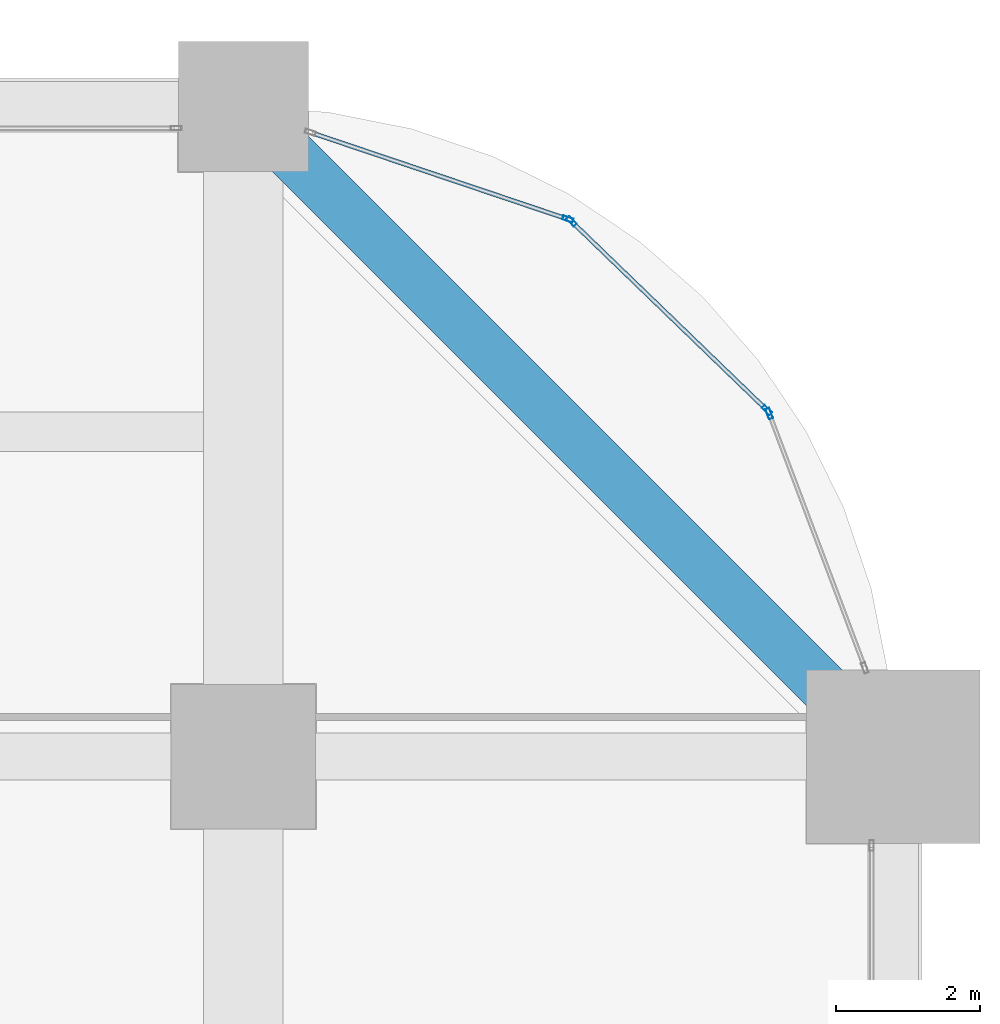
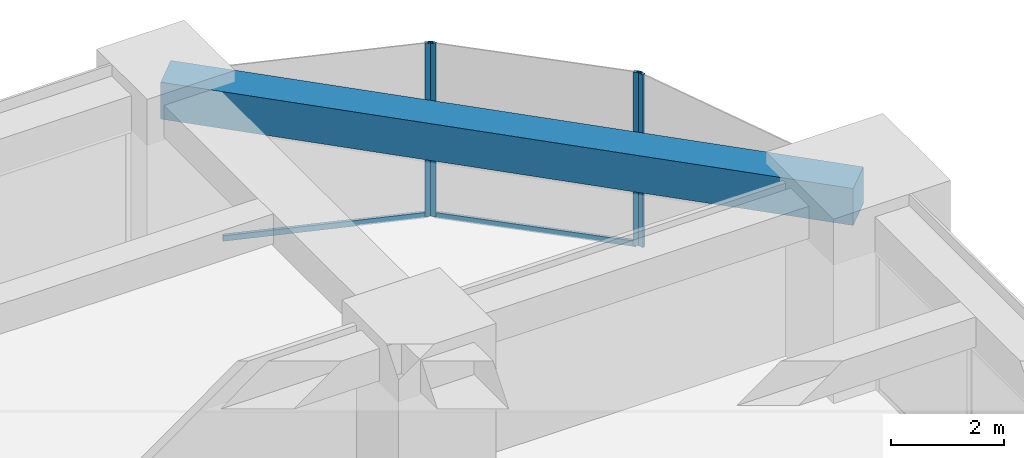
# One storey, part 34 of 39: 6 members, 1 beam, 3 elements without a shape of their own.
"""IFC4 building model written with IfcOpenShell, lengths in metres."""

from ifc_helpers import new_model, si_unit, direction, frame, origin, origin_2d, place, context, subcontext, project, spatial, rectangle, hollow_rectangle, extrude, material, material_profile, profile_set, type_object, element, aggregate, save


model = new_model("IFC4")

# Units and contexts
model_context = context("Model", 3, precision=1e-05, world=origin(), true_north=direction((0.0, 1.0)))
body_context = subcontext(model_context, "Body", "Model", "MODEL_VIEW")
ifc_project = project(units=[si_unit("LENGTHUNIT", "METRE"), si_unit("AREAUNIT", "SQUARE_METRE"), si_unit("VOLUMEUNIT", "CUBIC_METRE"), si_unit("PLANEANGLEUNIT", "RADIAN"), si_unit("MASSUNIT", "GRAM", prefix="KILO")], contexts=[model_context])

# Site, building, storey
site_placement = place(None, origin())
site = spatial("IfcSite", under=ifc_project, at=site_placement, CompositionType="ELEMENT")
building_placement = place(site_placement, origin())
building = spatial("IfcBuilding", under=site, at=building_placement, Name="Zorevar Civic Tower", CompositionType="ELEMENT")
storey_placement = place(building_placement, frame((0.0, 0.0, 117.0)))
storey = spatial("IfcBuildingStorey", under=building, at=storey_placement, Name="L28", CompositionType="ELEMENT", Elevation=117.0)

# Curtain wall, member
ifc_material_1 = material(Name="Dark grey solar-control glass in black aluminium frame", Category="aluminium")
curtain_wall_type = type_object("IfcCurtainWallType", Name="Curtain wall CW3 mid zone", PredefinedType="NOTDEFINED", material=ifc_material_1)
curtain_wall_1_placement = place(storey_placement, origin())
curtain_wall_1 = element("IfcCurtainWall", 1, at=curtain_wall_1_placement, inside=storey, type_object=curtain_wall_type, Name="CW3 L28", PredefinedType="NOTDEFINED")
ifc_material_2 = material(Name="Aluminium, black anodised", Category="aluminium")
ifc_material_profile_1 = material_profile(ifc_material_2, hollow_rectangle(XDim=0.06005859375, YDim=0.14990234375, WallThickness=0.00390625, at=origin_2d()), Name="AL 150x60x4")
ifc_profile_set_1 = profile_set([ifc_material_profile_1], Name="Aluminium, black anodised")
member_type_1 = type_object("IfcMemberType", Name="CW3 mullion AL 150x60x4", PredefinedType="MULLION", material=ifc_profile_set_1)
member_1_placement = place(storey_placement, frame((61.281494140625, 40.749267578125, 0.0), z_axis=(0.0, 0.0, 1.0), x_axis=(-0.935950528564, -0.352131520999, 0.0)))
member_1 = element("IfcMember", 2, at=member_1_placement, type_object=member_type_1, Name="CW3 mullion 2", PredefinedType="MULLION", context=body_context, shape_type="SweptSolid", body=[
    extrude(hollow_rectangle(XDim=0.06005859375, YDim=0.14990234375, WallThickness=0.00390625, at=origin_2d()), origin(), (0.0, 0.0, 1.0), 3.75),
])
aggregate(curtain_wall_1, [member_1])

# Curtain wall, members
curtain_wall_2_placement = place(storey_placement, origin())
curtain_wall_2 = element("IfcCurtainWall", 3, at=curtain_wall_2_placement, inside=storey, type_object=curtain_wall_type, Name="CW3 L28", PredefinedType="NOTDEFINED")
member_2_placement = place(storey_placement, frame((61.249267578125, 40.798095703125, 0.0), z_axis=(0.0, 0.0, 1.0), x_axis=(-0.694719089155, -0.719281160023, 0.0)))
member_2 = element("IfcMember", 4, at=member_2_placement, type_object=member_type_1, Name="CW3 mullion 1", PredefinedType="MULLION", context=body_context, shape_type="SweptSolid", body=[
    extrude(hollow_rectangle(XDim=0.06005859375, YDim=0.14990234375, WallThickness=0.00390625, at=origin_2d()), origin(), (0.0, 0.0, 1.0), 3.75),
])
member_3_placement = place(storey_placement, frame((58.54345703125, 43.41162109375, 0.0), z_axis=(0.0, 0.0, 1.0), x_axis=(-0.694719089155, -0.719281160023, 0.0)))
member_3 = element("IfcMember", 5, at=member_3_placement, type_object=member_type_1, Name="CW3 mullion 2", PredefinedType="MULLION", context=body_context, shape_type="SweptSolid", body=[
    extrude(hollow_rectangle(XDim=0.06005859375, YDim=0.14990234375, WallThickness=0.00390625, at=origin_2d()), origin(), (0.0, 0.0, 1.0), 3.75),
])

# Curtain wall, member
curtain_wall_3_placement = place(storey_placement, origin())
curtain_wall_3 = element("IfcCurtainWall", 6, at=curtain_wall_3_placement, inside=storey, type_object=curtain_wall_type, Name="CW3 L28", PredefinedType="NOTDEFINED")
member_4_placement = place(storey_placement, frame((58.493408203125, 43.442138671875, 0.0), z_axis=(0.0, 0.0, 1.0), x_axis=(-0.319412525043, -0.947615765406, 0.0)))
member_4 = element("IfcMember", 7, at=member_4_placement, type_object=member_type_1, Name="CW3 mullion 1", PredefinedType="MULLION", context=body_context, shape_type="SweptSolid", body=[
    extrude(hollow_rectangle(XDim=0.06005859375, YDim=0.14990234375, WallThickness=0.00390625, at=origin_2d()), origin(), (0.0, 0.0, 1.0), 3.75),
])

# Member
ifc_material_3 = material(Name="Aluminium, black anodised", Category="aluminium")
ifc_material_profile_2 = material_profile(ifc_material_3, hollow_rectangle(XDim=0.06005859375, YDim=0.1201171875, WallThickness=0.0029296875, at=origin_2d()), Name="AL 120x60x3")
ifc_profile_set_2 = profile_set([ifc_material_profile_2], Name="Aluminium, black anodised")
member_type_2 = type_object("IfcMemberType", Name="CW3 transom AL 120x60x3", PredefinedType="USERDEFINED", material=ifc_profile_set_2)
member_5_placement = place(storey_placement, frame((61.227783203125, 40.81884765625, 0.030029296875), z_axis=(-0.719266228526, 0.694734548228, 0.0), x_axis=(-0.694734548228, -0.719266228526, 0.0)))
member_5 = element("IfcMember", 8, at=member_5_placement, type_object=member_type_2, Name="CW3 sill transom", ObjectType="TRANSOM", PredefinedType="USERDEFINED", context=body_context, shape_type="SweptSolid", body=[
    extrude(hollow_rectangle(XDim=0.06005859375, YDim=0.1201171875, WallThickness=0.0029296875, at=origin_2d()), origin(), (0.0, 0.0, 1.0), 3.7021484375),
])

aggregate(curtain_wall_2, [member_2, member_3, member_5])

member_6_placement = place(storey_placement, frame((58.465087890625, 43.45166015625, 0.030029296875), z_axis=(-0.9476295577, 0.319371603893, 0.0), x_axis=(-0.319371603893, -0.9476295577, 0.0)))
member_6 = element("IfcMember", 9, at=member_6_placement, type_object=member_type_2, Name="CW3 sill transom", ObjectType="TRANSOM", PredefinedType="USERDEFINED", context=body_context, shape_type="SweptSolid", body=[
    extrude(hollow_rectangle(XDim=0.06005859375, YDim=0.1201171875, WallThickness=0.0029296875, at=origin_2d()), origin(), (0.0, 0.0, 1.0), 3.7021484375),
])

aggregate(curtain_wall_3, [member_4, member_6])

# Beam
ifc_material_4 = material(Name="Concrete C50/60", Category="concrete")
ifc_material_profile_3 = material_profile(ifc_material_4, rectangle(XDim=0.699951171875, YDim=0.800048828125, at=origin_2d()), Name="RC 700x800")
ifc_profile_set_3 = profile_set([ifc_material_profile_3], Name="Concrete C50/60")
beam_type = type_object("IfcBeamType", Name="Edge beam RC 700x800", PredefinedType="SPANDREL", material=ifc_profile_set_3)
beam_placement = place(storey_placement, frame((63.0, 36.0, 3.35009765625), z_axis=(-0.707106781187, 0.707106781187, 0.0), x_axis=(-0.707106781187, -0.707106781187, 0.0)))
element("IfcBeam", 10, at=beam_placement, inside=storey, type_object=beam_type, Name="Corner edge beam L29", PredefinedType="SPANDREL", context=body_context, shape_type="SweptSolid", body=[
    extrude(rectangle(XDim=0.699951171875, YDim=0.800048828125, at=origin_2d()), origin(), (0.0, 0.0, 1.0), 12.72802734375),
])

save(model, "model.ifc")
